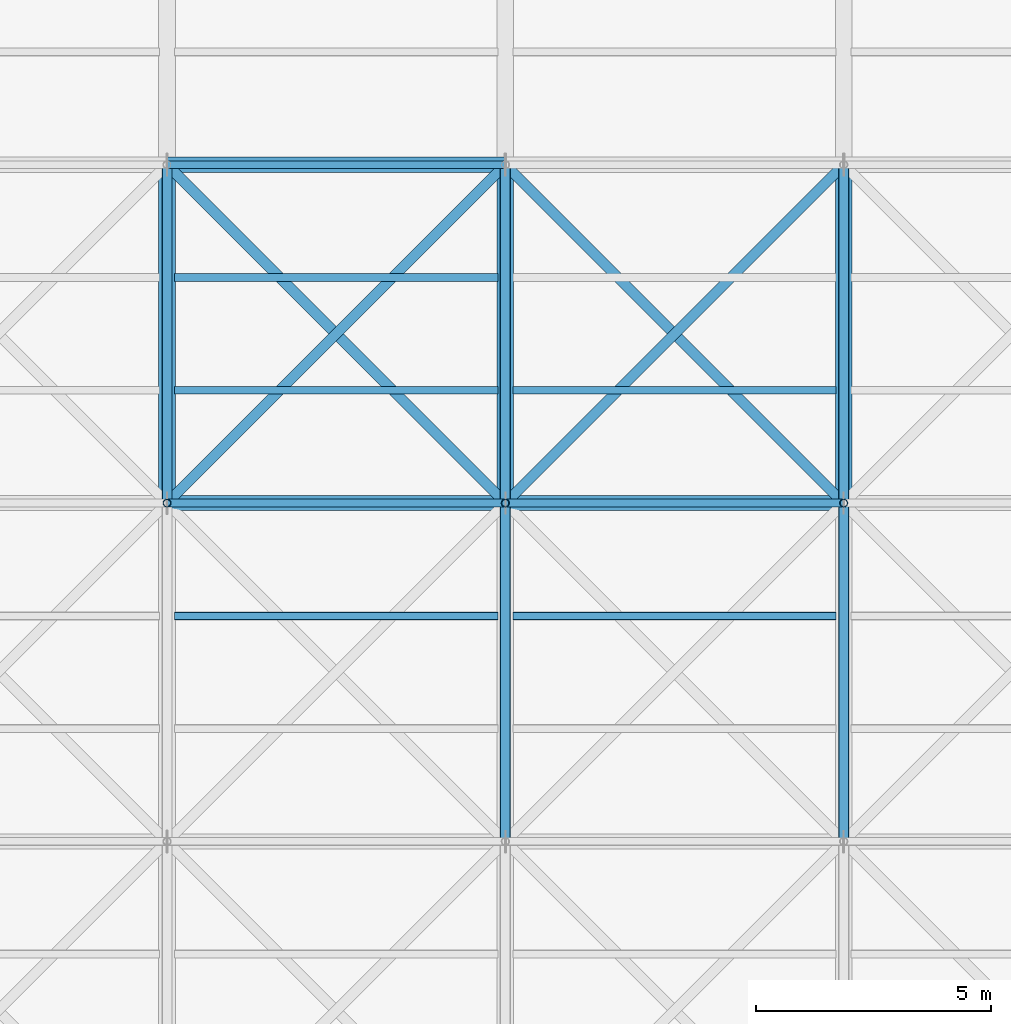
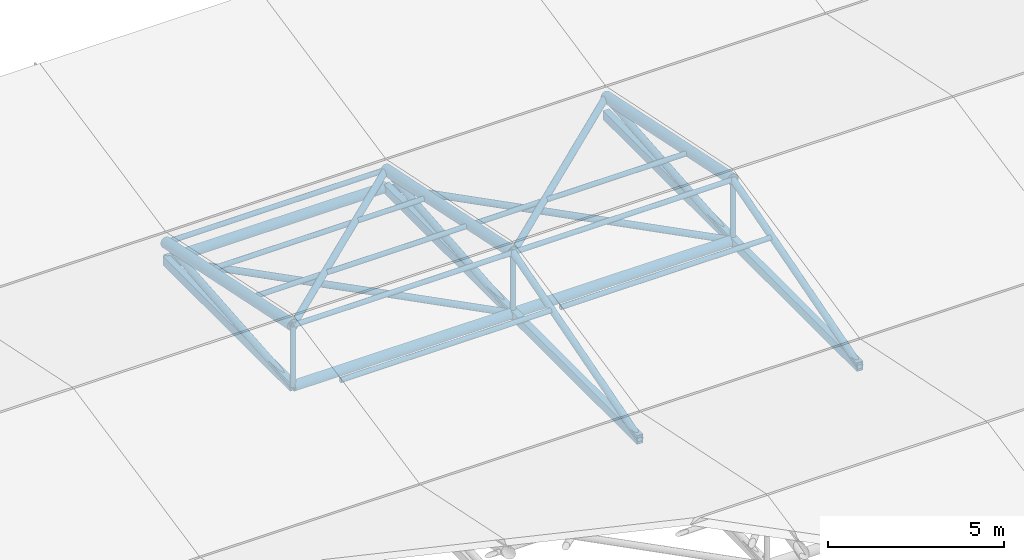
# One storey, part 35 of 72: 23 members, 8 beams.
"""IFC4 building model written with IfcOpenShell, lengths in metres."""

from ifc_helpers import new_model, si_unit, direction, frame, origin, origin_2d, place, context, subcontext, project, spatial, hollow_rectangle, hollow_circle, extrude, material, material_profile, profile_set, type_object, element, save


model = new_model("IFC4")

# Units and contexts
model_context = context("Model", 3, precision=1e-05, world=origin(), true_north=direction((0.0, 1.0)))
body_context = subcontext(model_context, "Body", "Model", "MODEL_VIEW")
ifc_project = project(units=[si_unit("LENGTHUNIT", "METRE"), si_unit("AREAUNIT", "SQUARE_METRE"), si_unit("VOLUMEUNIT", "CUBIC_METRE"), si_unit("PLANEANGLEUNIT", "RADIAN"), si_unit("MASSUNIT", "GRAM", prefix="KILO")], contexts=[model_context])

# Site, building, storey
site_placement = place(None, origin())
site = spatial("IfcSite", under=ifc_project, at=site_placement, CompositionType="ELEMENT")
building_placement = place(site_placement, origin())
building = spatial("IfcBuilding", under=site, at=building_placement, Name="Vaelcorin Mobility Hub", CompositionType="ELEMENT")
storey_placement = place(building_placement, frame((0.0, 0.0, 25.800048828125)))
storey = spatial("IfcBuildingStorey", under=building, at=storey_placement, Name="RF", CompositionType="ELEMENT", Elevation=25.800048828125)

# Members
ifc_material = material(Name="Steel ASTM A500 Grade C", Category="steel")
ifc_material_profile_1 = material_profile(ifc_material, hollow_circle(Radius=0.161865234375, WallThickness=0.0126953125, at=origin_2d()), Name="HSS12.750X0.500")
ifc_profile_set_1 = profile_set([ifc_material_profile_1], Name="Steel ASTM A500 Grade C")
member_type_1 = type_object("IfcMemberType", Name="SF-CHORD-12", PredefinedType="CHORD", material=ifc_profile_set_1)
for number, where, z_axis, x_axis, name in (
    (1, (86.39990234375, 105.60009765625, -2.10009765625), (1.0, 0.0, 0.0), (0.0, 1.0, 0.0), "Sports Truss Lower Tie Strut 8-3"),
    (2, (86.39990234375, 112.800048828125, -2.10009765625), (1.0, 0.0, 0.0), (0.0, 1.0, 0.0), "Sports Truss Lower Tie Strut 8-4"),
):
    element("IfcMember", number, at=place(storey_placement, frame(where, z_axis=z_axis, x_axis=x_axis)), inside=storey, type_object=member_type_1, Name=name, PredefinedType="CHORD", context=body_context, shape_type="SweptSolid", body=[
        extrude(hollow_circle(Radius=0.161865234375, WallThickness=0.0126953125, at=origin_2d()), origin(), (0.0, 0.0, 1.0), 7.2001953125),
    ])
member_1_placement = place(storey_placement, frame((93.60009765625, 105.60009765625, -2.10009765625), z_axis=(1.0, 0.0, 0.0), x_axis=(0.0, 1.0, 0.0)))
element("IfcMember", 3, at=member_1_placement, inside=storey, type_object=member_type_1, Name="Sports Truss Lower Tie Strut 9-3", PredefinedType="CHORD", context=body_context, shape_type="SweptSolid", body=[
    extrude(hollow_circle(Radius=0.161865234375, WallThickness=0.0126953125, at=origin_2d()), origin(), (0.0, 0.0, 1.0), 7.199951171875),
])
ifc_material_profile_2 = material_profile(ifc_material, hollow_circle(Radius=0.109619140625, WallThickness=0.009521484375, at=origin_2d()), Name="HSS8.625X0.375")
ifc_profile_set_2 = profile_set([ifc_material_profile_2], Name="Steel ASTM A500 Grade C")
member_type_2 = type_object("IfcMemberType", Name="SF-DIAG-8", PredefinedType="BRACE", material=ifc_profile_set_2)
member_2_placement = place(storey_placement, frame((86.39990234375, 105.60009765625, 0.0), z_axis=(0.699568856162, 0.699545135531, -0.145739558262), x_axis=(-0.70709479277, 0.7071187694, 0.0)))
element("IfcMember", 4, at=member_2_placement, inside=storey, type_object=member_type_2, Name="Sports Roof Space-Truss Plan Brace 8-4", PredefinedType="BRACE", context=body_context, shape_type="SweptSolid", body=[
    extrude(hollow_circle(Radius=0.109619140625, WallThickness=0.009521484375, at=origin_2d()), origin(), (0.0, 0.0, 1.0), 10.292236328125),
])
member_3_placement = place(storey_placement, frame((93.60009765625, 105.60009765625, -2.10009765625), z_axis=(-0.7071187694, 0.70709479277, 0.0), x_axis=(-0.70709479277, -0.7071187694, 0.0)))
element("IfcMember", 5, at=member_3_placement, inside=storey, type_object=member_type_2, Name="Sports Truss Lower Plan Brace 8-4", PredefinedType="BRACE", context=body_context, shape_type="SweptSolid", body=[
    extrude(hollow_circle(Radius=0.109619140625, WallThickness=0.009521484375, at=origin_2d()), origin(), (0.0, 0.0, 1.0), 10.182373046875),
])
member_4_placement = place(storey_placement, frame((93.60009765625, 105.60009765625, 0.0), z_axis=(0.699556744026, 0.699556744026, -0.145741976715), x_axis=(-0.707106781187, 0.707106781187, 0.0)))
element("IfcMember", 6, at=member_4_placement, inside=storey, type_object=member_type_2, Name="Sports Roof Space-Truss Plan Brace 9-4", PredefinedType="BRACE", context=body_context, shape_type="SweptSolid", body=[
    extrude(hollow_circle(Radius=0.109619140625, WallThickness=0.009521484375, at=origin_2d()), origin(), (0.0, 0.0, 1.0), 10.292236328125),
])
member_5_placement = place(storey_placement, frame((100.800048828125, 105.60009765625, -2.10009765625), z_axis=(-0.707106781187, 0.707106781187, 0.0), x_axis=(-0.707106781187, -0.707106781187, 0.0)))
element("IfcMember", 7, at=member_5_placement, inside=storey, type_object=member_type_2, Name="Sports Truss Lower Plan Brace 9-4", PredefinedType="BRACE", context=body_context, shape_type="SweptSolid", body=[
    extrude(hollow_circle(Radius=0.109619140625, WallThickness=0.009521484375, at=origin_2d()), origin(), (0.0, 0.0, 1.0), 10.182373046875),
])
ifc_material_profile_3 = material_profile(ifc_material, hollow_circle(Radius=0.084228515625, WallThickness=0.0078125, at=origin_2d()), Name="HSS6.625X0.312")
ifc_profile_set_3 = profile_set([ifc_material_profile_3], Name="Steel ASTM A500 Grade C")
member_type_3 = type_object("IfcMemberType", Name="SF-PURL-6", PredefinedType="PURLIN", material=ifc_profile_set_3)
for number, where, z_axis, x_axis, name in (
    (8, (86.39990234375, 105.60009765625, 0.0), (1.0, 0.0, 0.0), (0.0, 1.0, 0.0), "Sports Pavilion Roof Purlin 8-3"),
    (9, (86.39990234375, 112.800048828125, -1.5), (1.0, 0.0, 0.0), (0.0, 1.0, 0.0), "Sports Pavilion Roof Purlin 8-4"),
):
    element("IfcMember", number, at=place(storey_placement, frame(where, z_axis=z_axis, x_axis=x_axis)), inside=storey, type_object=member_type_3, Name=name, PredefinedType="PURLIN", context=body_context, shape_type="SweptSolid", body=[
        extrude(hollow_circle(Radius=0.084228515625, WallThickness=0.0078125, at=origin_2d()), origin(), (0.0, 0.0, 1.0), 7.2001953125),
    ])
for number, where, z_axis, x_axis, name in (
    (10, (86.56005859375, 103.199951171875, -0.5), (1.0, 0.0, 0.0), (0.0, 1.0, 0.0), "Sports Roof Secondary Purlin 8-3-2"),
    (11, (86.56005859375, 108.0, -0.5), (1.0, 0.0, 0.0), (0.0, 1.0, 0.0), "Sports Roof Secondary Purlin 8-4-1"),
    (12, (86.56005859375, 110.39990234375, -1.0), (1.0, 0.0, 0.0), (0.0, 1.0, 0.0), "Sports Roof Secondary Purlin 8-4-2"),
):
    element("IfcMember", number, at=place(storey_placement, frame(where, z_axis=z_axis, x_axis=x_axis)), inside=storey, type_object=member_type_3, Name=name, PredefinedType="PURLIN", context=body_context, shape_type="SweptSolid", body=[
        extrude(hollow_circle(Radius=0.084228515625, WallThickness=0.0078125, at=origin_2d()), origin(), (0.0, 0.0, 1.0), 6.8798828125),
    ])
member_6_placement = place(storey_placement, frame((93.60009765625, 105.60009765625, 0.0), z_axis=(1.0, 0.0, 0.0), x_axis=(0.0, 1.0, 0.0)))
element("IfcMember", 13, at=member_6_placement, inside=storey, type_object=member_type_3, Name="Sports Pavilion Roof Purlin 9-3", PredefinedType="PURLIN", context=body_context, shape_type="SweptSolid", body=[
    extrude(hollow_circle(Radius=0.084228515625, WallThickness=0.0078125, at=origin_2d()), origin(), (0.0, 0.0, 1.0), 7.199951171875),
])
for number, where, z_axis, x_axis, name in (
    (14, (93.760009765625, 103.199951171875, -0.5), (1.0, 0.0, 0.0), (0.0, 1.0, 0.0), "Sports Roof Secondary Purlin 9-3-2"),
    (15, (93.760009765625, 108.0, -0.5), (1.0, 0.0, 0.0), (0.0, 1.0, 0.0), "Sports Roof Secondary Purlin 9-4-1"),
):
    element("IfcMember", number, at=place(storey_placement, frame(where, z_axis=z_axis, x_axis=x_axis)), inside=storey, type_object=member_type_3, Name=name, PredefinedType="PURLIN", context=body_context, shape_type="SweptSolid", body=[
        extrude(hollow_circle(Radius=0.084228515625, WallThickness=0.0078125, at=origin_2d()), origin(), (0.0, 0.0, 1.0), 6.8798828125),
    ])

# Beams
ifc_material_profile_4 = material_profile(ifc_material, hollow_circle(Radius=0.177734375, WallThickness=0.0126953125, at=origin_2d()), Name="HSS14.000X0.500")
ifc_profile_set_4 = profile_set([ifc_material_profile_4], Name="Steel ASTM A500 Grade C")
beam_type_1 = type_object("IfcBeamType", Name="TR-CHORD-14", PredefinedType="BEAM", material=ifc_profile_set_4)
for number, where, z_axis, x_axis, name in (
    (16, (86.39990234375, 105.60009765625, 0.0), (0.0, 0.978980143565, -0.203955579738), (-1.0, 0.0, 0.0), "Sports Pavilion Roof Truss Upper Chord 7-4"),
    (17, (93.60009765625, 105.60009765625, 0.0), (0.0, 0.978980143565, -0.203955579738), (-1.0, 0.0, 0.0), "Sports Pavilion Roof Truss Upper Chord 8-4"),
    (18, (100.800048828125, 105.60009765625, 0.0), (0.0, 0.978980143565, -0.203955579738), (-1.0, 0.0, 0.0), "Sports Pavilion Roof Truss Upper Chord 9-4"),
):
    element("IfcBeam", number, at=place(storey_placement, frame(where, z_axis=z_axis, x_axis=x_axis)), inside=storey, type_object=beam_type_1, Name=name, PredefinedType="BEAM", context=body_context, shape_type="SweptSolid", body=[
        extrude(hollow_circle(Radius=0.177734375, WallThickness=0.0126953125, at=origin_2d()), origin(), (0.0, 0.0, 1.0), 7.3544921875),
    ])
ifc_material_profile_5 = material_profile(ifc_material, hollow_rectangle(XDim=0.203125, YDim=0.3046875, WallThickness=0.01171875, at=origin_2d()), Name="HSS12X8X0.500")
ifc_profile_set_5 = profile_set([ifc_material_profile_5], Name="Steel ASTM A500 Grade C")
beam_type_2 = type_object("IfcBeamType", Name="TR-CHORD-RHS12", PredefinedType="BEAM", material=ifc_profile_set_5)
beam_1_placement = place(storey_placement, frame((86.39990234375, 105.60009765625, -2.10009765625), z_axis=(0.0, 1.0, 0.0), x_axis=(-1.0, 0.0, 0.0)))
element("IfcBeam", 19, at=beam_1_placement, inside=storey, type_object=beam_type_2, Name="Sports Pavilion Roof Truss Bottom Chord 7-4", PredefinedType="BEAM", context=body_context, shape_type="SweptSolid", body=[
    extrude(hollow_rectangle(XDim=0.203125, YDim=0.3046875, WallThickness=0.01171875, at=origin_2d()), origin(), (0.0, 0.0, 1.0), 7.199951171875),
])
beam_2_placement = place(storey_placement, frame((93.60009765625, 98.39990234375, -2.10009765625), z_axis=(0.0, 1.0, 0.0), x_axis=(-1.0, 0.0, 0.0)))
element("IfcBeam", 20, at=beam_2_placement, inside=storey, type_object=beam_type_2, Name="Sports Pavilion Roof Truss Bottom Chord 8-3", PredefinedType="BEAM", context=body_context, shape_type="SweptSolid", body=[
    extrude(hollow_rectangle(XDim=0.203125, YDim=0.3046875, WallThickness=0.01171875, at=origin_2d()), origin(), (0.0, 0.0, 1.0), 7.2001953125),
])
beam_3_placement = place(storey_placement, frame((93.60009765625, 105.60009765625, -2.10009765625), z_axis=(0.0, 1.0, 0.0), x_axis=(-1.0, 0.0, 0.0)))
element("IfcBeam", 21, at=beam_3_placement, inside=storey, type_object=beam_type_2, Name="Sports Pavilion Roof Truss Bottom Chord 8-4", PredefinedType="BEAM", context=body_context, shape_type="SweptSolid", body=[
    extrude(hollow_rectangle(XDim=0.203125, YDim=0.3046875, WallThickness=0.01171875, at=origin_2d()), origin(), (0.0, 0.0, 1.0), 7.199951171875),
])
beam_4_placement = place(storey_placement, frame((100.800048828125, 98.39990234375, -2.10009765625), z_axis=(0.0, 1.0, 0.0), x_axis=(-1.0, 0.0, 0.0)))
element("IfcBeam", 22, at=beam_4_placement, inside=storey, type_object=beam_type_2, Name="Sports Pavilion Roof Truss Bottom Chord 9-3", PredefinedType="BEAM", context=body_context, shape_type="SweptSolid", body=[
    extrude(hollow_rectangle(XDim=0.203125, YDim=0.3046875, WallThickness=0.01171875, at=origin_2d()), origin(), (0.0, 0.0, 1.0), 7.2001953125),
])
beam_5_placement = place(storey_placement, frame((100.800048828125, 105.60009765625, -2.10009765625), z_axis=(0.0, 1.0, 0.0), x_axis=(-1.0, 0.0, 0.0)))
element("IfcBeam", 23, at=beam_5_placement, inside=storey, type_object=beam_type_2, Name="Sports Pavilion Roof Truss Bottom Chord 9-4", PredefinedType="BEAM", context=body_context, shape_type="SweptSolid", body=[
    extrude(hollow_rectangle(XDim=0.203125, YDim=0.3046875, WallThickness=0.01171875, at=origin_2d()), origin(), (0.0, 0.0, 1.0), 7.199951171875),
])

# Members
ifc_material_profile_6 = material_profile(ifc_material, hollow_circle(Radius=0.084228515625, WallThickness=0.0078125, at=origin_2d()), Name="HSS6.625X0.312")
ifc_profile_set_6 = profile_set([ifc_material_profile_6], Name="Steel ASTM A500 Grade C")
member_type_4 = type_object("IfcMemberType", Name="TR-POST-6", PredefinedType="POST", material=ifc_profile_set_6)
for number, where, z_axis, x_axis, name in (
    (24, (86.39990234375, 105.60009765625, -2.10009765625), (0.0, 0.0, 1.0), (1.0, 0.0, 0.0), "Sports Pavilion Roof Truss Post 7-3"),
    (25, (93.60009765625, 105.60009765625, -2.10009765625), (0.0, 0.0, 1.0), (1.0, 0.0, 0.0), "Sports Pavilion Roof Truss Post 8-3"),
    (26, (100.800048828125, 105.60009765625, -2.10009765625), (0.0, 0.0, 1.0), (1.0, 0.0, 0.0), "Sports Pavilion Roof Truss Post 9-3"),
):
    element("IfcMember", number, at=place(storey_placement, frame(where, z_axis=z_axis, x_axis=x_axis)), inside=storey, type_object=member_type_4, Name=name, PredefinedType="POST", context=body_context, shape_type="SweptSolid", body=[
        extrude(hollow_circle(Radius=0.084228515625, WallThickness=0.0078125, at=origin_2d()), origin(), (0.0, 0.0, 1.0), 2.10009765625),
    ])
ifc_material_profile_7 = material_profile(ifc_material, hollow_circle(Radius=0.109619140625, WallThickness=0.009521484375, at=origin_2d()), Name="HSS8.625X0.375")
ifc_profile_set_7 = profile_set([ifc_material_profile_7], Name="Steel ASTM A500 Grade C")
member_type_5 = type_object("IfcMemberType", Name="TR-WEB-8", PredefinedType="BRACE", material=ifc_profile_set_7)
member_7_placement = place(storey_placement, frame((86.39990234375, 105.60009765625, -2.10009765625), z_axis=(0.0, 0.996544592923, 0.083059462528), x_axis=(-1.0, 0.0, 0.0)))
element("IfcMember", 27, at=member_7_placement, inside=storey, type_object=member_type_5, Name="Sports Pavilion Roof Truss Diagonal 7-4", PredefinedType="BRACE", context=body_context, shape_type="SweptSolid", body=[
    extrude(hollow_circle(Radius=0.109619140625, WallThickness=0.009521484375, at=origin_2d()), origin(), (0.0, 0.0, 1.0), 7.224853515625),
])
member_8_placement = place(storey_placement, frame((93.60009765625, 98.39990234375, -2.10009765625), z_axis=(0.0, 0.959998541695, 0.280004999853), x_axis=(-1.0, 0.0, 0.0)))
element("IfcMember", 28, at=member_8_placement, inside=storey, type_object=member_type_5, Name="Sports Pavilion Roof Truss Diagonal 8-3", PredefinedType="BRACE", context=body_context, shape_type="SweptSolid", body=[
    extrude(hollow_circle(Radius=0.109619140625, WallThickness=0.009521484375, at=origin_2d()), origin(), (0.0, 0.0, 1.0), 7.500244140625),
])
member_9_placement = place(storey_placement, frame((93.60009765625, 105.60009765625, -2.10009765625), z_axis=(0.0, 0.996544592923, 0.083059462528), x_axis=(-1.0, 0.0, 0.0)))
element("IfcMember", 29, at=member_9_placement, inside=storey, type_object=member_type_5, Name="Sports Pavilion Roof Truss Diagonal 8-4", PredefinedType="BRACE", context=body_context, shape_type="SweptSolid", body=[
    extrude(hollow_circle(Radius=0.109619140625, WallThickness=0.009521484375, at=origin_2d()), origin(), (0.0, 0.0, 1.0), 7.224853515625),
])
member_10_placement = place(storey_placement, frame((100.800048828125, 98.39990234375, -2.10009765625), z_axis=(0.0, 0.959998541695, 0.280004999853), x_axis=(-1.0, 0.0, 0.0)))
element("IfcMember", 30, at=member_10_placement, inside=storey, type_object=member_type_5, Name="Sports Pavilion Roof Truss Diagonal 9-3", PredefinedType="BRACE", context=body_context, shape_type="SweptSolid", body=[
    extrude(hollow_circle(Radius=0.109619140625, WallThickness=0.009521484375, at=origin_2d()), origin(), (0.0, 0.0, 1.0), 7.500244140625),
])
member_11_placement = place(storey_placement, frame((100.800048828125, 105.60009765625, -2.10009765625), z_axis=(0.0, 0.996544592923, 0.083059462528), x_axis=(-1.0, 0.0, 0.0)))
element("IfcMember", 31, at=member_11_placement, inside=storey, type_object=member_type_5, Name="Sports Pavilion Roof Truss Diagonal 9-4", PredefinedType="BRACE", context=body_context, shape_type="SweptSolid", body=[
    extrude(hollow_circle(Radius=0.109619140625, WallThickness=0.009521484375, at=origin_2d()), origin(), (0.0, 0.0, 1.0), 7.224853515625),
])

save(model, "model.ifc")
